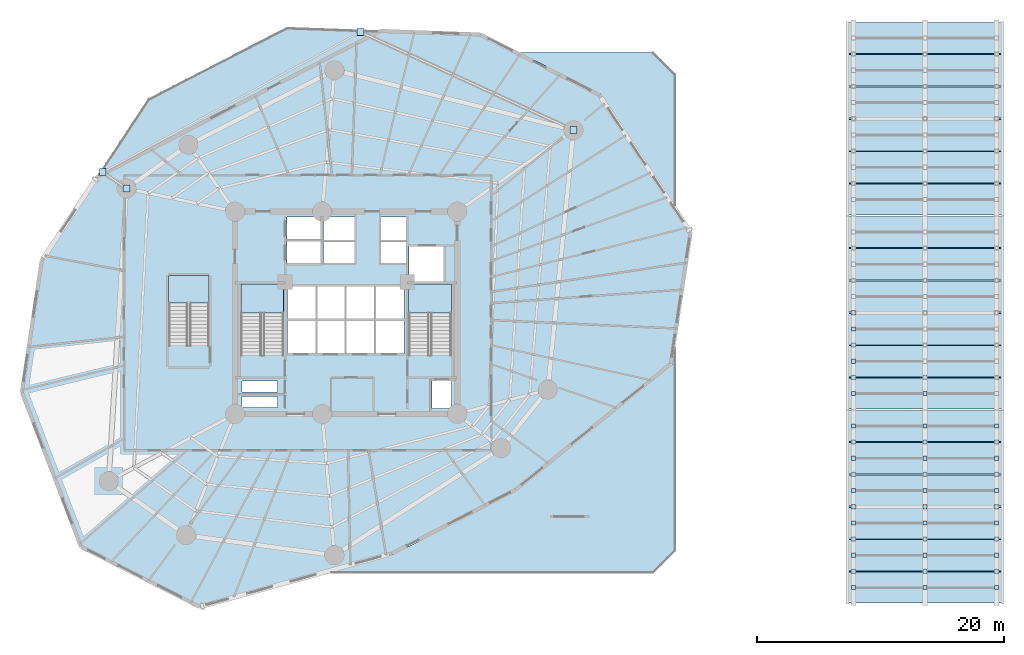
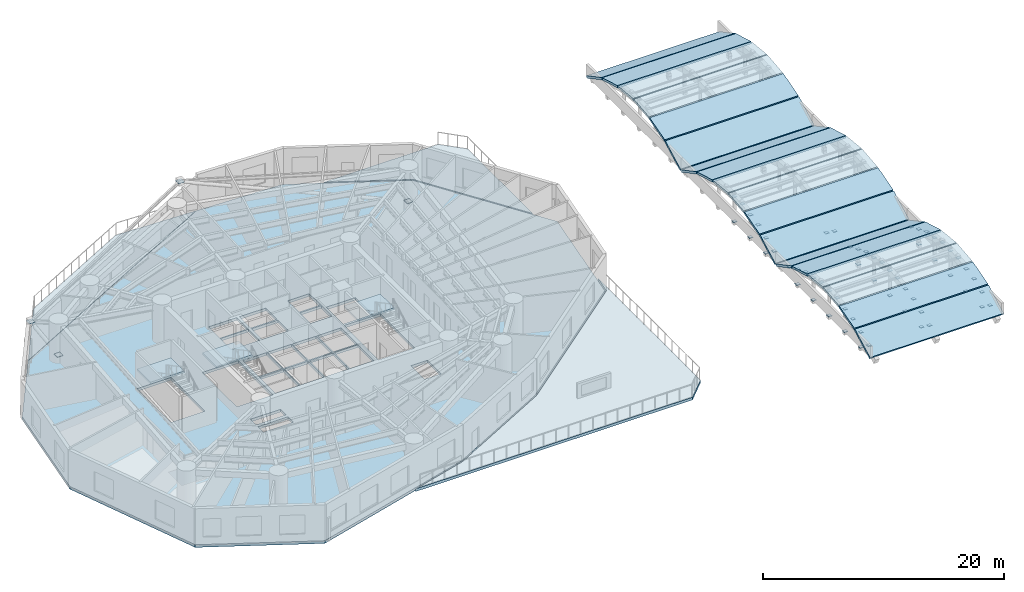
# One storey, part 5 of 16: 63 plates, 25 slabs, 3 elements without a shape of their own.
"""IFC4 building model written with IfcOpenShell, lengths in metres."""

from ifc_helpers import new_model, si_unit, direction, frame, origin, origin_with_axes, origin_2d, place, context, subcontext, project, spatial, polyline, rectangle, outline, extrude, source, transform, mapped, material, layer, layer_set, type_object, element, aggregate, save


model = new_model("IFC4")

# Units and contexts
model_context = context("Model", 3, precision=1e-05, world=origin(), true_north=direction((0.0, 1.0)))
body_context = subcontext(model_context, "Body", "Model", "MODEL_VIEW")
ifc_project = project(units=[si_unit("LENGTHUNIT", "METRE"), si_unit("AREAUNIT", "SQUARE_METRE"), si_unit("VOLUMEUNIT", "CUBIC_METRE"), si_unit("PLANEANGLEUNIT", "RADIAN"), si_unit("MASSUNIT", "GRAM", prefix="KILO")], contexts=[model_context])

# Site, building, storey
site_placement = place(None, origin())
site = spatial("IfcSite", under=ifc_project, at=site_placement, CompositionType="ELEMENT")
building_placement = place(site_placement, origin())
building = spatial("IfcBuilding", under=site, at=building_placement, Name="Karkom Vertical University and Central Library", CompositionType="ELEMENT")
storey_placement = place(building_placement, frame((0.0, 0.0, 22.5)))
storey = spatial("IfcBuildingStorey", under=building, at=storey_placement, Name="L05", CompositionType="ELEMENT", Elevation=22.5)

# Stair, slab
ifc_material_1 = material(Name="Concrete C45/55", Category="concrete")
stair_type_1 = type_object("IfcStairType", Name="INT-STR-ST-MAIN", PredefinedType="HALF_TURN_STAIR", material=ifc_material_1)
stair_1_placement = place(storey_placement, origin())
stair_1 = element("IfcStair", 1, at=stair_1_placement, inside=storey, type_object=stair_type_1, Name="Level 05 Tower Protected Exit Stair ST-1", PredefinedType="HALF_TURN_STAIR")
ifc_layer_1 = layer(ifc_material_1, 0.199951171875)
ifc_layer_set_1 = layer_set([ifc_layer_1], Name="Concrete C45/55")
slab_type_1 = type_object("IfcSlabType", Name="INT-SLB-LANDING", PredefinedType="LANDING", material=ifc_layer_set_1)
slab_1_placement = place(storey_placement, frame((0.0, 0.0, 1.800048828125)))
slab_1 = element("IfcSlab", 2, at=slab_1_placement, type_object=slab_type_1, Name="ST-1 landing 1", PredefinedType="LANDING", context=body_context, shape_type="SweptSolid", body=[
    extrude(outline(polyline([(23.43994140625, 26.5), (23.43994140625, 28.820068359375), (19.97998046875, 28.820068359375), (19.97998046875, 26.5), (23.43994140625, 26.5)])), origin(), (0.0, 0.0, 1.0), 0.199951171875),
])
aggregate(stair_1, [slab_1])

stair_2_placement = place(storey_placement, origin())
stair_2 = element("IfcStair", 3, at=stair_2_placement, inside=storey, type_object=stair_type_1, Name="Level 05 Tower Protected Exit Stair ST-2", PredefinedType="HALF_TURN_STAIR")
slab_2_placement = place(storey_placement, frame((0.0, 0.0, 1.800048828125)))
slab_2 = element("IfcSlab", 4, at=slab_2_placement, type_object=slab_type_1, Name="ST-2 landing 1", PredefinedType="LANDING", context=body_context, shape_type="SweptSolid", body=[
    extrude(outline(polyline([(37.02001953125, 26.5), (37.02001953125, 28.820068359375), (33.56005859375, 28.820068359375), (33.56005859375, 26.5), (37.02001953125, 26.5)])), origin(), (0.0, 0.0, 1.0), 0.199951171875),
])
aggregate(stair_2, [slab_2])

stair_type_2 = type_object("IfcStairType", Name="INT-STR-ST-SEC", PredefinedType="HALF_TURN_STAIR", material=ifc_material_1)
stair_3_placement = place(storey_placement, origin())
stair_3 = element("IfcStair", 5, at=stair_3_placement, inside=storey, type_object=stair_type_2, Name="Level 05 Academic Zone Protected Exit Stair ST-3", PredefinedType="HALF_TURN_STAIR")
slab_3_placement = place(storey_placement, frame((0.0, 0.0, 1.800048828125)))
slab_3 = element("IfcSlab", 6, at=slab_3_placement, type_object=slab_type_1, Name="ST-3 landing 1", PredefinedType="LANDING", context=body_context, shape_type="SweptSolid", body=[
    extrude(outline(polyline([(17.3798828125, 27.280029296875), (17.3798828125, 29.5), (14.1201171875, 29.5), (14.1201171875, 27.280029296875), (17.3798828125, 27.280029296875)])), origin(), (0.0, 0.0, 1.0), 0.199951171875),
])
aggregate(stair_3, [slab_3])

# Slabs
ifc_layer_2 = layer(ifc_material_1, 0.27490234375)
ifc_layer_set_2 = layer_set([ifc_layer_2], Name="Concrete C45/55")
slab_type_2 = type_object("IfcSlabType", Name="STR-SLB-FLR-275", PredefinedType="FLOOR", material=ifc_layer_set_2)
slab_4_placement = place(storey_placement, frame((0.0, 0.0, -0.27490234375)))
element("IfcSlab", 7, at=slab_4_placement, inside=storey, type_object=slab_type_2, Name="Level 05 Tower Structural Floor Slab", PredefinedType="FLOOR", context=body_context, shape_type="SweptSolid", body=[
    extrude(outline(polyline([(8.303466796875, 37.48974609375), (3.834716796875, 30.719970703125), (2.228515625, 20.0498046875), (7.01806640625, 7.544189453125), (16.622314453125, 2.676025390625), (32.220947265625, 7.00341796875), (42.226806640625, 12.163330078125), (54.79736328125, 22.36279296875), (56.39990234375, 33.01025390625), (48.98876953125, 44.163818359375), (39.3642578125, 49.04248046875), (31.257568359375, 49.3271484375), (8.303466796875, 37.48974609375)]), holes=[polyline([(19.97998046875, 23.0849609375), (23.43994140625, 23.0849609375), (23.43994140625, 28.820068359375), (19.97998046875, 28.820068359375), (19.97998046875, 23.0849609375)]), polyline([(33.56005859375, 23.0849609375), (37.02001953125, 23.0849609375), (37.02001953125, 28.820068359375), (33.56005859375, 28.820068359375), (33.56005859375, 23.0849609375)]), polyline([(14.1201171875, 23.864990234375), (17.3798828125, 23.864990234375), (17.3798828125, 29.5), (14.1201171875, 29.5), (14.1201171875, 23.864990234375)]), polyline([(23.75, 23.199951171875), (26.030029296875, 23.199951171875), (26.030029296875, 25.85009765625), (23.75, 25.85009765625), (23.75, 23.199951171875)]), polyline([(26.1298828125, 23.199951171875), (28.409912109375, 23.199951171875), (28.409912109375, 25.85009765625), (26.1298828125, 25.85009765625), (26.1298828125, 23.199951171875)]), polyline([(28.510009765625, 23.199951171875), (30.7900390625, 23.199951171875), (30.7900390625, 25.85009765625), (28.510009765625, 25.85009765625), (28.510009765625, 23.199951171875)]), polyline([(30.889892578125, 23.199951171875), (33.169921875, 23.199951171875), (33.169921875, 25.85009765625), (30.889892578125, 25.85009765625), (30.889892578125, 23.199951171875)]), polyline([(23.75, 26.0), (26.030029296875, 26.0), (26.030029296875, 28.64990234375), (23.75, 28.64990234375), (23.75, 26.0)]), polyline([(26.1298828125, 26.0), (28.409912109375, 26.0), (28.409912109375, 28.64990234375), (26.1298828125, 28.64990234375), (26.1298828125, 26.0)]), polyline([(28.510009765625, 26.0), (30.7900390625, 26.0), (30.7900390625, 28.64990234375), (28.510009765625, 28.64990234375), (28.510009765625, 26.0)]), polyline([(30.889892578125, 26.0), (33.169921875, 26.0), (33.169921875, 28.64990234375), (30.889892578125, 28.64990234375), (30.889892578125, 26.0)]), polyline([(26.679931640625, 30.5), (29.199951171875, 30.5), (29.199951171875, 32.25), (26.679931640625, 32.25), (26.679931640625, 30.5)]), polyline([(26.679931640625, 32.39990234375), (29.199951171875, 32.39990234375), (29.199951171875, 34.25), (26.679931640625, 34.25), (26.679931640625, 32.39990234375)]), polyline([(31.300048828125, 30.5), (33.35009765625, 30.5), (33.35009765625, 32.25), (31.300048828125, 32.25), (31.300048828125, 30.5)]), polyline([(31.300048828125, 32.39990234375), (33.35009765625, 32.39990234375), (33.35009765625, 34.25), (31.300048828125, 34.25), (31.300048828125, 32.39990234375)]), polyline([(23.719970703125, 30.47998046875), (26.429931640625, 30.47998046875), (26.429931640625, 32.320068359375), (23.719970703125, 32.320068359375), (23.719970703125, 30.47998046875)]), polyline([(23.719970703125, 32.419921875), (26.429931640625, 32.419921875), (26.429931640625, 34.260009765625), (23.719970703125, 34.260009765625), (23.719970703125, 32.419921875)]), polyline([(33.60009765625, 29.050048828125), (36.39990234375, 29.050048828125), (36.39990234375, 31.85009765625), (33.60009765625, 31.85009765625), (33.60009765625, 29.050048828125)]), polyline([(20.050048828125, 18.820068359375), (22.949951171875, 18.820068359375), (22.949951171875, 19.719970703125), (20.050048828125, 19.719970703125), (20.050048828125, 18.820068359375)]), polyline([(20.050048828125, 20.06005859375), (22.949951171875, 20.06005859375), (22.949951171875, 20.9599609375), (20.050048828125, 20.9599609375), (20.050048828125, 20.06005859375)]), polyline([(35.4599609375, 18.760009765625), (37.0400390625, 18.760009765625), (37.0400390625, 21.010009765625), (35.4599609375, 21.010009765625), (35.4599609375, 18.760009765625)])]), origin(), (0.0, 0.0, 1.0), 0.27490234375),
])
ifc_layer_3 = layer(ifc_material_1, 0.199951171875)
ifc_layer_set_3 = layer_set([ifc_layer_3], Name="Concrete C45/55")
slab_type_3 = type_object("IfcSlabType", Name="STR-SLB-PLN-260", PredefinedType="USERDEFINED", material=ifc_layer_set_3)
slab_5_placement = place(storey_placement, frame((0.0, 0.0, -0.27490234375)))
element("IfcSlab", 8, at=slab_5_placement, inside=storey, type_object=slab_type_3, Name="Level 05 Spiral Sky Garden Planter Terrace", ObjectType="PLANTER", PredefinedType="USERDEFINED", context=body_context, shape_type="SweptSolid", body=[
    extrude(outline(polyline([(12.477783203125, 43.813720703125), (23.684814453125, 49.593017578125), (31.216552734375, 49.32861328125), (8.325927734375, 37.523681640625), (12.477783203125, 43.813720703125)])), origin(), (0.0, 0.0, 1.0), 0.27490234375),
])
slab_6_placement = place(storey_placement, frame((0.0, 0.0, -0.27490234375)))
element("IfcSlab", 9, at=slab_6_placement, inside=storey, type_object=slab_type_3, Name="Level 05 Podium Crown Roof Garden Planter 2", ObjectType="PLANTER", PredefinedType="USERDEFINED", context=body_context, shape_type="SweptSolid", body=[
    extrude(outline(polyline([(55.199951171875, 7.199951171875), (53.39990234375, 5.39990234375), (26.889892578125, 5.39990234375), (32.2529296875, 6.887939453125), (32.2646484375, 6.891845703125), (32.27587890625, 6.896728515625), (42.28173828125, 12.056640625), (42.29248046875, 12.06298828125), (42.30224609375, 12.0703125), (54.872802734375, 22.26953125), (54.881103515625, 22.277099609375), (54.888916015625, 22.28515625), (54.8955078125, 22.2939453125), (54.901611328125, 22.30322265625), (54.906494140625, 22.31298828125), (54.91064453125, 22.323486328125), (54.913818359375, 22.333984375), (54.916015625, 22.344970703125), (55.199951171875, 24.23193359375), (55.199951171875, 7.199951171875)])), origin(), (0.0, 0.0, 1.0), 0.27490234375),
])
slab_7_placement = place(storey_placement, frame((0.0, 0.0, -0.27490234375)))
element("IfcSlab", 10, at=slab_7_placement, inside=storey, type_object=slab_type_3, Name="Level 05 Podium Crown Roof Garden Planter 3", ObjectType="PLANTER", PredefinedType="USERDEFINED", context=body_context, shape_type="SweptSolid", body=[
    extrude(outline(polyline([(53.39990234375, 47.60009765625), (55.199951171875, 45.800048828125), (55.199951171875, 35.033203125), (49.088623046875, 44.230224609375), (49.081298828125, 44.240234375), (49.072998046875, 44.24951171875), (49.063720703125, 44.257568359375), (49.0537109375, 44.264892578125), (49.043212890625, 44.27099609375), (42.475341796875, 47.60009765625), (53.39990234375, 47.60009765625)])), origin(), (0.0, 0.0, 1.0), 0.27490234375),
])
ifc_material_2 = material(Name="Precast concrete C45/55", Category="concrete")
ifc_layer_4 = layer(ifc_material_2, 0.219970703125)
ifc_layer_set_4 = layer_set([ifc_layer_4], Name="Precast concrete C45/55")
slab_type_4 = type_object("IfcSlabType", Name="STR-SLB-VLT-220", PredefinedType="ROOF", material=ifc_layer_set_4)
slab_8_placement = place(storey_placement, frame((69.0, 2.968017578125, 0.025390625), z_axis=(0.0, -0.469550651671, 0.882905536009), x_axis=(1.0, 0.0, 0.0)))
element("IfcSlab", 11, at=slab_8_placement, inside=storey, type_object=slab_type_4, Name="Central Library Barrel Vault 1 Sloped Roof Facet 1", PredefinedType="ROOF", context=body_context, shape_type="SweptSolid", body=[
    extrude(outline(polyline([(0.0, 0.0), (12.800048828125, 0.0), (12.800048828125, 2.8586589145869623), (0.0, 2.8586589145869623), (0.0, 0.0)])), origin(), (0.0, 0.0, -1.0), 0.219970703125),
])
slab_9_placement = place(storey_placement, frame((69.0, 5.587890625, 1.406982421875), z_axis=(0.0, -0.275580606749, 0.961277966659), x_axis=(1.0, 0.0, 0.0)))
element("IfcSlab", 12, at=slab_9_placement, inside=storey, type_object=slab_type_4, Name="Central Library Barrel Vault 1 Sloped Roof Facet 2", PredefinedType="ROOF", context=body_context, shape_type="SweptSolid", body=[
    extrude(outline(polyline([(0.0, 0.0), (12.800048828125, 0.0), (12.800048828125, 2.6258480995337683), (0.0, 2.6258480995337683), (0.0, 0.0)])), origin(), (0.0, 0.0, -1.0), 0.219970703125),
])
slab_10_placement = place(storey_placement, frame((69.0, 8.2080078125, 2.1494140625), z_axis=(0.0, -0.104569607149, 0.994517570112), x_axis=(1.0, 0.0, 0.0)))
element("IfcSlab", 13, at=slab_10_placement, inside=storey, type_object=slab_type_4, Name="Central Library Barrel Vault 1 Sloped Roof Facet 3", PredefinedType="ROOF", context=body_context, shape_type="SweptSolid", body=[
    extrude(outline(polyline([(0.0, 0.0), (12.800048828125, 0.0), (12.800048828125, 2.537839307320508), (0.0, 2.537839307320508), (0.0, 0.0)])), origin(), (0.0, 0.0, -1.0), 0.219970703125),
])
slab_11_placement = place(storey_placement, frame((69.0, 10.827880859375, 2.414794921875), z_axis=(0.0, 0.104559603636, 0.994518621891), x_axis=(1.0, 0.0, 0.0)))
element("IfcSlab", 14, at=slab_11_placement, inside=storey, type_object=slab_type_4, Name="Central Library Barrel Vault 1 Sloped Roof Facet 4", PredefinedType="ROOF", context=body_context, shape_type="SweptSolid", body=[
    extrude(outline(polyline([(0.0, 0.0), (12.800048828125, 0.0), (12.800048828125, 2.538082109590045), (0.0, 2.538082109590045), (0.0, 0.0)])), origin(), (0.0, 0.0, -1.0), 0.219970703125),
])
slab_12_placement = place(storey_placement, frame((69.0, 13.447998046875, 2.130615234375), z_axis=(0.0, 0.275605239069, 0.961270904687), x_axis=(1.0, 0.0, 0.0)))
element("IfcSlab", 15, at=slab_12_placement, inside=storey, type_object=slab_type_4, Name="Central Library Barrel Vault 1 Sloped Roof Facet 5", PredefinedType="ROOF", context=body_context, shape_type="SweptSolid", body=[
    extrude(outline(polyline([(0.0, 0.0), (12.800048828125, 0.0), (12.800048828125, 2.6256134133922084), (0.0, 2.6256134133922084), (0.0, 0.0)])), origin(), (0.0, 0.0, -1.0), 0.219970703125),
])
for number, where, z_axis, x_axis, name in (
    (16, (69.0, 16.068115234375, 1.36767578125), (0.0, 0.469550651671, 0.882905536009), (1.0, 0.0, 0.0), "Central Library Barrel Vault 1 Sloped Roof Facet 6"),
    (17, (69.0, 18.68798828125, 0.025390625), (0.0, -0.469550651671, 0.882905536009), (1.0, 0.0, 0.0), "Central Library Barrel Vault 2 Sloped Roof Facet 1"),
):
    element("IfcSlab", number, at=place(storey_placement, frame(where, z_axis=z_axis, x_axis=x_axis)), inside=storey, type_object=slab_type_4, Name=name, PredefinedType="ROOF", context=body_context, shape_type="SweptSolid", body=[
        extrude(outline(polyline([(0.0, 0.0), (12.800048828125, 0.0), (12.800048828125, 2.8586589145869623), (0.0, 2.8586589145869623), (0.0, 0.0)])), origin(), (0.0, 0.0, -1.0), 0.219970703125),
    ])
slab_13_placement = place(storey_placement, frame((69.0, 21.30810546875, 1.406982421875), z_axis=(0.0, -0.275605239069, 0.961270904687), x_axis=(1.0, 0.0, 0.0)))
element("IfcSlab", 18, at=slab_13_placement, inside=storey, type_object=slab_type_4, Name="Central Library Barrel Vault 2 Sloped Roof Facet 2", PredefinedType="ROOF", context=body_context, shape_type="SweptSolid", body=[
    extrude(outline(polyline([(0.0, 0.0), (12.800048828125, 0.0), (12.800048828125, 2.6256134133922084), (0.0, 2.6256134133922084), (0.0, 0.0)])), origin(), (0.0, 0.0, -1.0), 0.219970703125),
])
for number, where, z_axis, x_axis, name in (
    (19, (69.0, 23.927978515625, 2.1494140625), (0.0, -0.104569607149, 0.994517570112), (1.0, 0.0, 0.0), "Central Library Barrel Vault 2 Sloped Roof Facet 3"),
    (20, (69.0, 26.548095703125, 2.414794921875), (0.0, 0.104569607149, 0.994517570112), (1.0, 0.0, 0.0), "Central Library Barrel Vault 2 Sloped Roof Facet 4"),
):
    element("IfcSlab", number, at=place(storey_placement, frame(where, z_axis=z_axis, x_axis=x_axis)), inside=storey, type_object=slab_type_4, Name=name, PredefinedType="ROOF", context=body_context, shape_type="SweptSolid", body=[
        extrude(outline(polyline([(0.0, 0.0), (12.800048828125, 0.0), (12.800048828125, 2.537839307320508), (0.0, 2.537839307320508), (0.0, 0.0)])), origin(), (0.0, 0.0, -1.0), 0.219970703125),
    ])
slab_14_placement = place(storey_placement, frame((69.0, 29.16796875, 2.130615234375), z_axis=(0.0, 0.275605239069, 0.961270904687), x_axis=(1.0, 0.0, 0.0)))
element("IfcSlab", 21, at=slab_14_placement, inside=storey, type_object=slab_type_4, Name="Central Library Barrel Vault 2 Sloped Roof Facet 5", PredefinedType="ROOF", context=body_context, shape_type="SweptSolid", body=[
    extrude(outline(polyline([(0.0, 0.0), (12.800048828125, 0.0), (12.800048828125, 2.6256134133922084), (0.0, 2.6256134133922084), (0.0, 0.0)])), origin(), (0.0, 0.0, -1.0), 0.219970703125),
])
for number, where, z_axis, x_axis, name in (
    (22, (69.0, 31.7880859375, 1.36767578125), (0.0, 0.469550651671, 0.882905536009), (1.0, 0.0, 0.0), "Central Library Barrel Vault 2 Sloped Roof Facet 6"),
    (23, (69.0, 34.407958984375, 0.025390625), (0.0, -0.469550651671, 0.882905536009), (1.0, 0.0, 0.0), "Central Library Barrel Vault 3 Sloped Roof Facet 1"),
):
    element("IfcSlab", number, at=place(storey_placement, frame(where, z_axis=z_axis, x_axis=x_axis)), inside=storey, type_object=slab_type_4, Name=name, PredefinedType="ROOF", context=body_context, shape_type="SweptSolid", body=[
        extrude(outline(polyline([(0.0, 0.0), (12.800048828125, 0.0), (12.800048828125, 2.8586589145869623), (0.0, 2.8586589145869623), (0.0, 0.0)])), origin(), (0.0, 0.0, -1.0), 0.219970703125),
    ])
slab_15_placement = place(storey_placement, frame((69.0, 37.028076171875, 1.406982421875), z_axis=(0.0, -0.275605239069, 0.961270904687), x_axis=(1.0, 0.0, 0.0)))
element("IfcSlab", 24, at=slab_15_placement, inside=storey, type_object=slab_type_4, Name="Central Library Barrel Vault 3 Sloped Roof Facet 2", PredefinedType="ROOF", context=body_context, shape_type="SweptSolid", body=[
    extrude(outline(polyline([(0.0, 0.0), (12.800048828125, 0.0), (12.800048828125, 2.6256134133922084), (0.0, 2.6256134133922084), (0.0, 0.0)])), origin(), (0.0, 0.0, -1.0), 0.219970703125),
])
slab_16_placement = place(storey_placement, frame((69.0, 39.64794921875, 2.1494140625), z_axis=(0.0, -0.104559603636, 0.994518621891), x_axis=(1.0, 0.0, 0.0)))
element("IfcSlab", 25, at=slab_16_placement, inside=storey, type_object=slab_type_4, Name="Central Library Barrel Vault 3 Sloped Roof Facet 3", PredefinedType="ROOF", context=body_context, shape_type="SweptSolid", body=[
    extrude(outline(polyline([(0.0, 0.0), (12.800048828125, 0.0), (12.800048828125, 2.538082109590045), (0.0, 2.538082109590045), (0.0, 0.0)])), origin(), (0.0, 0.0, -1.0), 0.219970703125),
])
slab_17_placement = place(storey_placement, frame((69.0, 42.26806640625, 2.414794921875), z_axis=(0.0, 0.104569607149, 0.994517570112), x_axis=(1.0, 0.0, 0.0)))
element("IfcSlab", 26, at=slab_17_placement, inside=storey, type_object=slab_type_4, Name="Central Library Barrel Vault 3 Sloped Roof Facet 4", PredefinedType="ROOF", context=body_context, shape_type="SweptSolid", body=[
    extrude(outline(polyline([(0.0, 0.0), (12.800048828125, 0.0), (12.800048828125, 2.537839307320508), (0.0, 2.537839307320508), (0.0, 0.0)])), origin(), (0.0, 0.0, -1.0), 0.219970703125),
])
slab_18_placement = place(storey_placement, frame((69.0, 44.887939453125, 2.130615234375), z_axis=(0.0, 0.275580606749, 0.961277966659), x_axis=(1.0, 0.0, 0.0)))
element("IfcSlab", 27, at=slab_18_placement, inside=storey, type_object=slab_type_4, Name="Central Library Barrel Vault 3 Sloped Roof Facet 5", PredefinedType="ROOF", context=body_context, shape_type="SweptSolid", body=[
    extrude(outline(polyline([(0.0, 0.0), (12.800048828125, 0.0), (12.800048828125, 2.6258480995337683), (0.0, 2.6258480995337683), (0.0, 0.0)])), origin(), (0.0, 0.0, -1.0), 0.219970703125),
])
slab_19_placement = place(storey_placement, frame((69.0, 47.508056640625, 1.36767578125), z_axis=(0.0, 0.469550651671, 0.882905536009), x_axis=(1.0, 0.0, 0.0)))
element("IfcSlab", 28, at=slab_19_placement, inside=storey, type_object=slab_type_4, Name="Central Library Barrel Vault 3 Sloped Roof Facet 6", PredefinedType="ROOF", context=body_context, shape_type="SweptSolid", body=[
    extrude(outline(polyline([(0.0, 0.0), (12.800048828125, 0.0), (12.800048828125, 2.8586589145869623), (0.0, 2.8586589145869623), (0.0, 0.0)])), origin(), (0.0, 0.0, -1.0), 0.219970703125),
])

# Plates
ifc_material_3 = material(Name="Steel S355", Category="steel")
ifc_layer_5 = layer(ifc_material_3, 0.02001953125)
ifc_layer_set_5 = layer_set([ifc_layer_5], Name="Steel S355")
plate_type_1 = type_object("IfcPlateType", Name="STR-PLT-GP-3", PredefinedType="USERDEFINED", material=ifc_layer_set_5)
shared_shape_1 = source(origin_with_axes(), body_context, "Body", "SweptSolid", [
    extrude(rectangle(XDim=0.340087890625, YDim=0.340087890625, at=origin_2d()), origin(), (0.0, 0.0, 1.0), 0.02001953125),
])
for number, where, z_axis, x_axis, name in (
    (29, (69.60009765625, 4.22998046875, 0.29248046875), (0.0, 0.0, 1.0), (1.0, 0.0, 0.0), "Level 05 Node Gusset Cap Plate Level 05-LIB-VAULT1-PURLIN-1-1 A"),
    (30, (75.39990234375, 4.22998046875, 0.29248046875), (0.0, 0.0, 1.0), (1.0, 0.0, 0.0), "Level 05 Node Gusset Cap Plate Level 05-LIB-VAULT1-PURLIN-1-1 B"),
    (31, (81.199951171875, 4.22998046875, 0.29248046875), (0.0, 0.0, 1.0), (1.0, 0.0, 0.0), "Level 05 Node Gusset Cap Plate Level 05-LIB-VAULT1-PURLIN-1-2 B"),
    (32, (69.60009765625, 6.85009765625, 1.385009765625), (0.0, 0.0, 1.0), (1.0, 0.0, 0.0), "Level 05 Node Gusset Cap Plate Level 05-LIB-VAULT1-PURLIN-2-1 A"),
    (33, (75.39990234375, 6.85009765625, 1.385009765625), (0.0, 0.0, 1.0), (1.0, 0.0, 0.0), "Level 05 Node Gusset Cap Plate Level 05-LIB-VAULT1-PURLIN-2-1 B"),
    (34, (81.199951171875, 6.85009765625, 1.385009765625), (0.0, 0.0, 1.0), (1.0, 0.0, 0.0), "Level 05 Node Gusset Cap Plate Level 05-LIB-VAULT1-PURLIN-2-2 B"),
    (35, (69.60009765625, 9.469970703125, 1.906005859375), (0.0, 0.0, 1.0), (1.0, 0.0, 0.0), "Level 05 Node Gusset Cap Plate Level 05-LIB-VAULT1-PURLIN-3-1 A"),
    (36, (75.39990234375, 9.469970703125, 1.906005859375), (0.0, 0.0, 1.0), (1.0, 0.0, 0.0), "Level 05 Node Gusset Cap Plate Level 05-LIB-VAULT1-PURLIN-3-1 B"),
    (37, (81.199951171875, 9.469970703125, 1.906005859375), (0.0, 0.0, 1.0), (1.0, 0.0, 0.0), "Level 05 Node Gusset Cap Plate Level 05-LIB-VAULT1-PURLIN-3-2 B"),
    (38, (69.60009765625, 12.090087890625, 1.906005859375), (0.0, 0.0, 1.0), (1.0, 0.0, 0.0), "Level 05 Node Gusset Cap Plate Level 05-LIB-VAULT1-PURLIN-4-1 A"),
    (39, (75.39990234375, 12.090087890625, 1.906005859375), (0.0, 0.0, 1.0), (1.0, 0.0, 0.0), "Level 05 Node Gusset Cap Plate Level 05-LIB-VAULT1-PURLIN-4-1 B"),
    (40, (81.199951171875, 12.090087890625, 1.906005859375), (0.0, 0.0, 1.0), (1.0, 0.0, 0.0), "Level 05 Node Gusset Cap Plate Level 05-LIB-VAULT1-PURLIN-4-2 B"),
    (41, (69.60009765625, 14.7099609375, 1.385009765625), (0.0, 0.0, 1.0), (1.0, 0.0, 0.0), "Level 05 Node Gusset Cap Plate Level 05-LIB-VAULT1-PURLIN-5-1 A"),
    (42, (75.39990234375, 14.7099609375, 1.385009765625), (0.0, 0.0, 1.0), (1.0, 0.0, 0.0), "Level 05 Node Gusset Cap Plate Level 05-LIB-VAULT1-PURLIN-5-1 B"),
    (43, (81.199951171875, 14.7099609375, 1.385009765625), (0.0, 0.0, 1.0), (1.0, 0.0, 0.0), "Level 05 Node Gusset Cap Plate Level 05-LIB-VAULT1-PURLIN-5-2 B"),
    (44, (69.60009765625, 17.330078125, 0.29248046875), (0.0, 0.0, 1.0), (1.0, 0.0, 0.0), "Level 05 Node Gusset Cap Plate Level 05-LIB-VAULT1-PURLIN-6-1 A"),
    (45, (75.39990234375, 17.330078125, 0.29248046875), (0.0, 0.0, 1.0), (1.0, 0.0, 0.0), "Level 05 Node Gusset Cap Plate Level 05-LIB-VAULT1-PURLIN-6-1 B"),
    (46, (81.199951171875, 17.330078125, 0.29248046875), (0.0, 0.0, 1.0), (1.0, 0.0, 0.0), "Level 05 Node Gusset Cap Plate Level 05-LIB-VAULT1-PURLIN-6-2 B"),
    (47, (69.60009765625, 5.5400390625, -0.659912109375), (0.0, 0.0, 1.0), (1.0, 0.0, 0.0), "Level 05 Node Gusset Cap Plate Level 05-LIB-VAULT1-POST-1-1 A"),
    (48, (69.60009765625, 5.5400390625, 0.843017578125), (0.0, 0.0, 1.0), (1.0, 0.0, 0.0), "Level 05 Node Gusset Cap Plate Level 05-LIB-VAULT1-POST-1-1 B"),
    (49, (69.60009765625, 8.159912109375, -0.659912109375), (0.0, 0.0, 1.0), (1.0, 0.0, 0.0), "Level 05 Node Gusset Cap Plate Level 05-LIB-VAULT1-POST-1-2 A"),
    (50, (69.60009765625, 8.159912109375, 1.594482421875), (0.0, 0.0, 1.0), (1.0, 0.0, 0.0), "Level 05 Node Gusset Cap Plate Level 05-LIB-VAULT1-POST-1-2 B"),
    (51, (69.60009765625, 10.780029296875, -0.659912109375), (0.0, 0.0, 1.0), (1.0, 0.0, 0.0), "Level 05 Node Gusset Cap Plate Level 05-LIB-VAULT1-POST-1-3 A"),
    (52, (69.60009765625, 10.780029296875, 1.869873046875), (0.0, 0.0, 1.0), (1.0, 0.0, 0.0), "Level 05 Node Gusset Cap Plate Level 05-LIB-VAULT1-POST-1-3 B"),
    (53, (69.60009765625, 13.39990234375, -0.659912109375), (0.0, 0.0, 1.0), (1.0, 0.0, 0.0), "Level 05 Node Gusset Cap Plate Level 05-LIB-VAULT1-POST-1-4 A"),
    (54, (69.60009765625, 13.39990234375, 1.594482421875), (0.0, 0.0, 1.0), (1.0, 0.0, 0.0), "Level 05 Node Gusset Cap Plate Level 05-LIB-VAULT1-POST-1-4 B"),
    (55, (69.60009765625, 16.02001953125, -0.659912109375), (0.0, 0.0, 1.0), (1.0, 0.0, 0.0), "Level 05 Node Gusset Cap Plate Level 05-LIB-VAULT1-POST-1-5 A"),
    (56, (69.60009765625, 16.02001953125, 0.843017578125), (0.0, 0.0, 1.0), (1.0, 0.0, 0.0), "Level 05 Node Gusset Cap Plate Level 05-LIB-VAULT1-POST-1-5 B"),
    (57, (75.39990234375, 5.5400390625, -0.659912109375), (0.0, 0.0, 1.0), (1.0, 0.0, 0.0), "Level 05 Node Gusset Cap Plate Level 05-LIB-VAULT1-POST-2-1 A"),
    (58, (75.39990234375, 5.5400390625, 0.843017578125), (0.0, 0.0, 1.0), (1.0, 0.0, 0.0), "Level 05 Node Gusset Cap Plate Level 05-LIB-VAULT1-POST-2-1 B"),
    (59, (75.39990234375, 8.159912109375, -0.659912109375), (0.0, 0.0, 1.0), (1.0, 0.0, 0.0), "Level 05 Node Gusset Cap Plate Level 05-LIB-VAULT1-POST-2-2 A"),
    (60, (75.39990234375, 8.159912109375, 1.594482421875), (0.0, 0.0, 1.0), (1.0, 0.0, 0.0), "Level 05 Node Gusset Cap Plate Level 05-LIB-VAULT1-POST-2-2 B"),
    (61, (75.39990234375, 10.780029296875, -0.659912109375), (0.0, 0.0, 1.0), (1.0, 0.0, 0.0), "Level 05 Node Gusset Cap Plate Level 05-LIB-VAULT1-POST-2-3 A"),
    (62, (75.39990234375, 10.780029296875, 1.869873046875), (0.0, 0.0, 1.0), (1.0, 0.0, 0.0), "Level 05 Node Gusset Cap Plate Level 05-LIB-VAULT1-POST-2-3 B"),
    (63, (75.39990234375, 13.39990234375, -0.659912109375), (0.0, 0.0, 1.0), (1.0, 0.0, 0.0), "Level 05 Node Gusset Cap Plate Level 05-LIB-VAULT1-POST-2-4 A"),
    (64, (75.39990234375, 13.39990234375, 1.594482421875), (0.0, 0.0, 1.0), (1.0, 0.0, 0.0), "Level 05 Node Gusset Cap Plate Level 05-LIB-VAULT1-POST-2-4 B"),
    (65, (75.39990234375, 16.02001953125, -0.659912109375), (0.0, 0.0, 1.0), (1.0, 0.0, 0.0), "Level 05 Node Gusset Cap Plate Level 05-LIB-VAULT1-POST-2-5 A"),
    (66, (75.39990234375, 16.02001953125, 0.843017578125), (0.0, 0.0, 1.0), (1.0, 0.0, 0.0), "Level 05 Node Gusset Cap Plate Level 05-LIB-VAULT1-POST-2-5 B"),
    (67, (81.199951171875, 5.5400390625, -0.659912109375), (0.0, 0.0, 1.0), (1.0, 0.0, 0.0), "Level 05 Node Gusset Cap Plate Level 05-LIB-VAULT1-POST-3-1 A"),
    (68, (81.199951171875, 5.5400390625, 0.843017578125), (0.0, 0.0, 1.0), (1.0, 0.0, 0.0), "Level 05 Node Gusset Cap Plate Level 05-LIB-VAULT1-POST-3-1 B"),
    (69, (81.199951171875, 8.159912109375, -0.659912109375), (0.0, 0.0, 1.0), (1.0, 0.0, 0.0), "Level 05 Node Gusset Cap Plate Level 05-LIB-VAULT1-POST-3-2 A"),
    (70, (81.199951171875, 8.159912109375, 1.594482421875), (0.0, 0.0, 1.0), (1.0, 0.0, 0.0), "Level 05 Node Gusset Cap Plate Level 05-LIB-VAULT1-POST-3-2 B"),
    (71, (81.199951171875, 10.780029296875, -0.659912109375), (0.0, 0.0, 1.0), (1.0, 0.0, 0.0), "Level 05 Node Gusset Cap Plate Level 05-LIB-VAULT1-POST-3-3 A"),
    (72, (81.199951171875, 10.780029296875, 1.869873046875), (0.0, 0.0, 1.0), (1.0, 0.0, 0.0), "Level 05 Node Gusset Cap Plate Level 05-LIB-VAULT1-POST-3-3 B"),
    (73, (81.199951171875, 13.39990234375, -0.659912109375), (0.0, 0.0, 1.0), (1.0, 0.0, 0.0), "Level 05 Node Gusset Cap Plate Level 05-LIB-VAULT1-POST-3-4 A"),
    (74, (81.199951171875, 13.39990234375, 1.594482421875), (0.0, 0.0, 1.0), (1.0, 0.0, 0.0), "Level 05 Node Gusset Cap Plate Level 05-LIB-VAULT1-POST-3-4 B"),
    (75, (81.199951171875, 16.02001953125, -0.659912109375), (0.0, 0.0, 1.0), (1.0, 0.0, 0.0), "Level 05 Node Gusset Cap Plate Level 05-LIB-VAULT1-POST-3-5 A"),
    (76, (81.199951171875, 16.02001953125, 0.843017578125), (0.0, 0.0, 1.0), (1.0, 0.0, 0.0), "Level 05 Node Gusset Cap Plate Level 05-LIB-VAULT1-POST-3-5 B"),
    (77, (69.60009765625, 19.949951171875, 0.29248046875), (0.0, 0.0, 1.0), (1.0, 0.0, 0.0), "Level 05 Node Gusset Cap Plate Level 05-LIB-VAULT2-PURLIN-1-1 A"),
    (78, (75.39990234375, 19.949951171875, 0.29248046875), (0.0, 0.0, 1.0), (1.0, 0.0, 0.0), "Level 05 Node Gusset Cap Plate Level 05-LIB-VAULT2-PURLIN-1-1 B"),
    (79, (69.60009765625, 22.570068359375, 1.385009765625), (0.0, 0.0, 1.0), (1.0, 0.0, 0.0), "Level 05 Node Gusset Cap Plate Level 05-LIB-VAULT2-PURLIN-2-1 A"),
    (80, (69.60009765625, 25.18994140625, 1.906005859375), (0.0, 0.0, 1.0), (1.0, 0.0, 0.0), "Level 05 Node Gusset Cap Plate Level 05-LIB-VAULT2-PURLIN-3-1 A"),
    (81, (69.60009765625, 21.260009765625, -0.659912109375), (0.0, 0.0, 1.0), (1.0, 0.0, 0.0), "Level 05 Node Gusset Cap Plate Level 05-LIB-VAULT2-POST-1-1 A"),
    (82, (69.60009765625, 21.260009765625, 0.843017578125), (0.0, 0.0, 1.0), (1.0, 0.0, 0.0), "Level 05 Node Gusset Cap Plate Level 05-LIB-VAULT2-POST-1-1 B"),
    (83, (69.60009765625, 23.8798828125, -0.659912109375), (0.0, 0.0, 1.0), (1.0, 0.0, 0.0), "Level 05 Node Gusset Cap Plate Level 05-LIB-VAULT2-POST-1-2 A"),
    (84, (69.60009765625, 23.8798828125, 1.594482421875), (0.0, 0.0, 1.0), (1.0, 0.0, 0.0), "Level 05 Node Gusset Cap Plate Level 05-LIB-VAULT2-POST-1-2 B"),
    (85, (69.60009765625, 26.5, -0.659912109375), (0.0, 0.0, 1.0), (1.0, 0.0, 0.0), "Level 05 Node Gusset Cap Plate Level 05-LIB-VAULT2-POST-1-3 A"),
    (86, (69.60009765625, 26.5, 1.869873046875), (0.0, 0.0, 1.0), (1.0, 0.0, 0.0), "Level 05 Node Gusset Cap Plate Level 05-LIB-VAULT2-POST-1-3 B"),
    (87, (75.39990234375, 21.260009765625, -0.659912109375), (0.0, 0.0, 1.0), (1.0, 0.0, 0.0), "Level 05 Node Gusset Cap Plate Level 05-LIB-VAULT2-POST-2-1 A"),
):
    element("IfcPlate", number, at=place(storey_placement, frame(where, z_axis=z_axis, x_axis=x_axis)), inside=storey, type_object=plate_type_1, Name=name, ObjectType="GUSSET PLATE", PredefinedType="USERDEFINED", context=body_context, shape_type="MappedRepresentation", body=[
        mapped(shared_shape_1, transform((0.0, 0.0, 0.0), scale=1.0)),
    ])
ifc_layer_6 = layer(ifc_material_3, 0.028076171875)
ifc_layer_set_6 = layer_set([ifc_layer_6], Name="Steel S355")
plate_type_2 = type_object("IfcPlateType", Name="STR-PLT-GP-2", PredefinedType="USERDEFINED", material=ifc_layer_set_6)
shared_shape_2 = source(origin_with_axes(), body_context, "Body", "SweptSolid", [
    extrude(rectangle(XDim=0.56005859375, YDim=0.56005859375, at=origin_2d()), origin(), (0.0, 0.0, 1.0), 0.028076171875),
])
for number, where, z_axis, x_axis, name in (
    (88, (46.919921875, 41.2958984375, 0.3359375), (0.0, 0.0, 1.0), (1.0, 0.0, 0.0), "Level 05 Node Gusset Cap Plate Level 05-SKG-KNEE-1 A"),
    (89, (29.6455078125, 49.24951171875, 3.57080078125), (0.0, 0.0, 1.0), (1.0, 0.0, 0.0), "Level 05 Node Gusset Cap Plate Level 05-SKG-KNEE-1 B"),
    (90, (10.697021484375, 36.571044921875, 0.3359375), (0.0, 0.0, 1.0), (1.0, 0.0, 0.0), "Level 05 Node Gusset Cap Plate Level 05-SKG-KNEE-2 A"),
    (91, (8.772705078125, 37.888427734375, 3.57080078125), (0.0, 0.0, 1.0), (1.0, 0.0, 0.0), "Level 05 Node Gusset Cap Plate Level 05-SKG-KNEE-2 B"),
):
    element("IfcPlate", number, at=place(storey_placement, frame(where, z_axis=z_axis, x_axis=x_axis)), inside=storey, type_object=plate_type_2, Name=name, ObjectType="GUSSET PLATE", PredefinedType="USERDEFINED", context=body_context, shape_type="MappedRepresentation", body=[
        mapped(shared_shape_2, transform((0.0, 0.0, 0.0), scale=1.0)),
    ])

save(model, "model.ifc")
